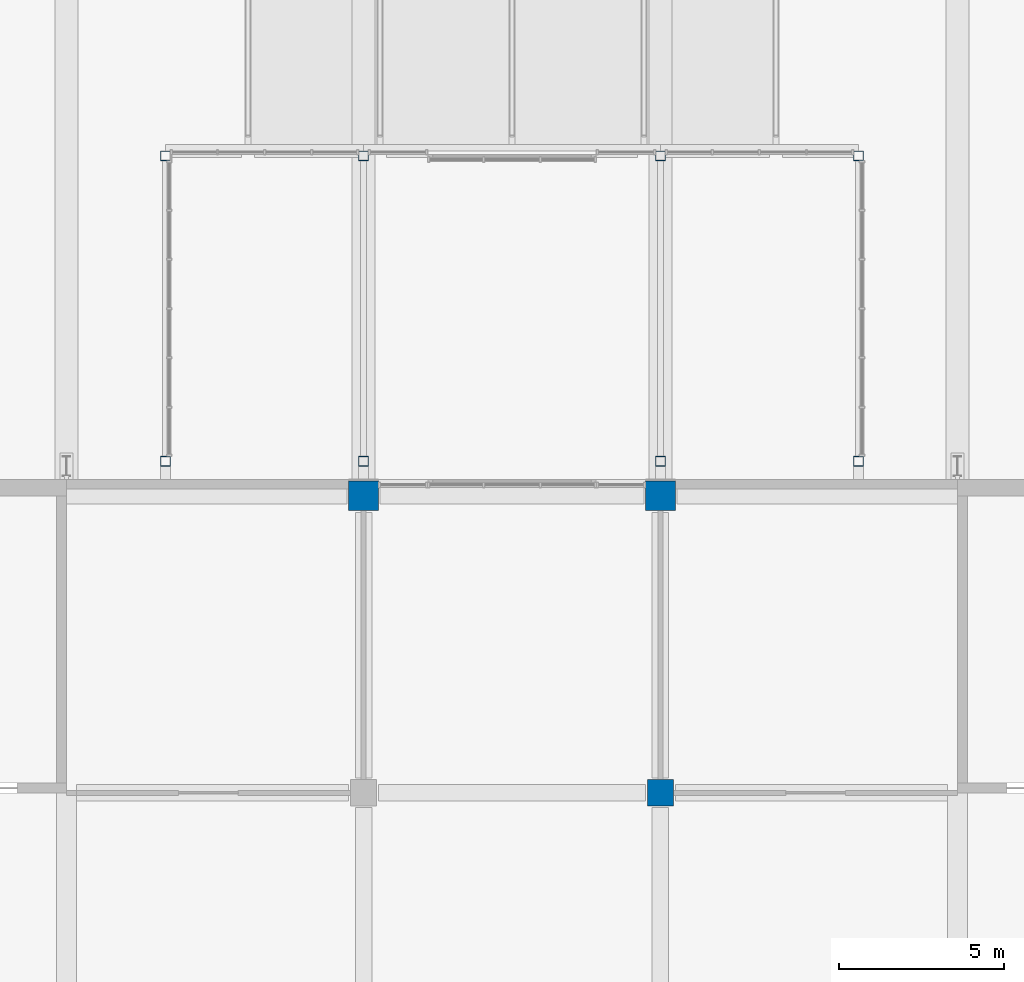
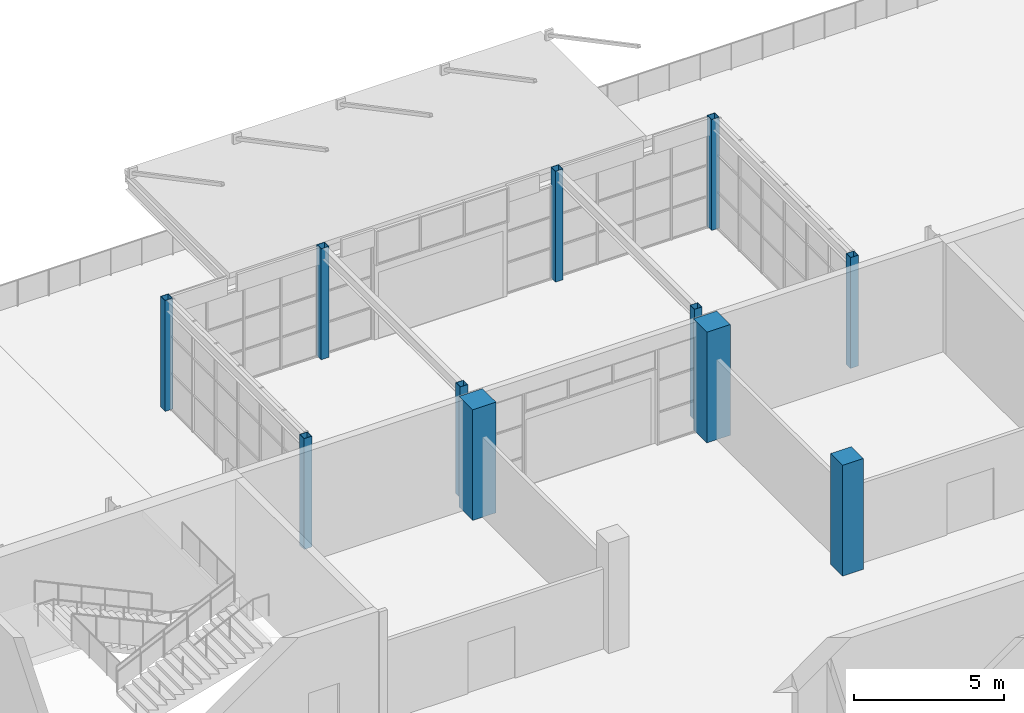
# One storey, part 11 of 168: 11 columns.
"""IFC4 building model written with IfcOpenShell, lengths in metres."""

import ifcopenshell
import ifcopenshell.guid

model = None  # the IFC model being written
_history = None  # IfcOwnerHistory: only IFC2X3 demands one
_inside = {}  # id of a spatial element -> (the spatial element, [elements in it])
_under = {}  # id of a project, library or spatial element -> (it, [spatial elements below it])
_declared = {}  # id of a project -> (the project, [libraries it declares])
_typed = {}  # id of a type object -> (the type object, [elements of that type])
_made_of = {}  # id of a material, layer set ... -> (it, [elements and type objects made of it])


def new_model(schema):
    """Start an empty IFC model of exactly this schema.

    Asked for "IFC4X3", IfcOpenShell would pick the latest addendum, in which some entities
    have other attributes; the version numbers below select the first issue.
    IFC2X3 requires an IfcOwnerHistory on every rooted entity: one is made here for all.
    """
    global model, _history
    if schema == "IFC4X3":
        model = ifcopenshell.file(schema_version=(4, 3, 0, 0))
    else:
        model = ifcopenshell.file(schema=schema)
    _inside.clear()
    _under.clear()
    _declared.clear()
    _typed.clear()
    _made_of.clear()
    _history = None
    if model.schema == "IFC2X3":
        org = make("IfcOrganization", Name="unknown")
        user = make(
            "IfcPersonAndOrganization",
            ThePerson=make("IfcPerson", FamilyName="unknown"),
            TheOrganization=org,
        )
        app = make(
            "IfcApplication",
            ApplicationDeveloper=org,
            Version="unknown",
            ApplicationFullName="unknown",
            ApplicationIdentifier="unknown",
        )
        _history = make(
            "IfcOwnerHistory",
            OwningUser=user,
            OwningApplication=app,
            ChangeAction="ADDED",
            CreationDate=0,
        )
    return model


def make(cls, **values):
    """One entity of the class cls with the attributes given. An attribute that is None is left unset."""
    return model.create_entity(
        cls, **{name: value for name, value in values.items() if value is not None}
    )


def rooted(cls, **values):
    """An entity with a GlobalId (a new one), such as an element, a storey or a relation."""
    return make(cls, GlobalId=ifcopenshell.guid.new(), OwnerHistory=_history, **values)


def si_unit(unit_type, name, prefix=None):
    """IfcSIUnit, for example si_unit("LENGTHUNIT", "METRE", prefix="MILLI")."""
    return make("IfcSIUnit", UnitType=unit_type, Prefix=prefix, Name=name)


def assignment(units):
    """IfcUnitAssignment: the units of a project."""
    return None if units is None else make("IfcUnitAssignment", Units=units)


def point(xyz):
    """IfcCartesianPoint."""
    return None if xyz is None else make("IfcCartesianPoint", Coordinates=xyz)


def direction(xyz):
    """IfcDirection."""
    return None if xyz is None else make("IfcDirection", DirectionRatios=xyz)


def frame(location, z_axis=None, x_axis=None):
    """IfcAxis2Placement3D, a coordinate frame: its origin and axes. An axis left out is left unset."""
    return make(
        "IfcAxis2Placement3D",
        Location=point(location),
        Axis=direction(z_axis),
        RefDirection=direction(x_axis),
    )


def frame_2d(location, x_axis=None):
    """IfcAxis2Placement2D, a coordinate frame in the plane: its origin and x axis."""
    return make(
        "IfcAxis2Placement2D", Location=point(location), RefDirection=direction(x_axis)
    )


def origin():
    """The frame at (0, 0, 0) with its axes left unset."""
    return frame((0.0, 0.0, 0.0))


def origin_2d():
    """The frame at (0, 0) in the plane with its x axis left unset."""
    return frame_2d((0.0, 0.0))


def place(relative_to, where):
    """IfcLocalPlacement: puts the frame where relative to a parent placement (None: the world)."""
    return make(
        "IfcLocalPlacement", PlacementRelTo=relative_to, RelativePlacement=where
    )


def context(
    kind, dimensions, precision=None, world=None, true_north=None, identifier=None
):
    """IfcGeometricRepresentationContext, for example the 3D "Model" context."""
    return make(
        "IfcGeometricRepresentationContext",
        ContextIdentifier=identifier,
        ContextType=kind,
        CoordinateSpaceDimension=dimensions,
        Precision=precision,
        WorldCoordinateSystem=world,
        TrueNorth=true_north,
    )


def subcontext(parent, identifier, kind, view, scale=None):
    """IfcGeometricRepresentationSubContext, for example "Body" below "Model"."""
    return make(
        "IfcGeometricRepresentationSubContext",
        ContextIdentifier=identifier,
        ContextType=kind,
        ParentContext=parent,
        TargetScale=scale,
        TargetView=view,
    )


def project(units=None, contexts=None):
    """IfcProject with its units and contexts."""
    return rooted(
        "IfcProject",
        Name="project",
        RepresentationContexts=contexts,
        UnitsInContext=assignment(units),
    )


def spatial(cls, under=None, at=None, **own):
    """A site, building, storey or space (cls), placed at a placement, below another one or the project."""
    s = rooted(cls, ObjectPlacement=at, **own)
    if under is not None:
        _under.setdefault(under.id(), (under, []))[1].append(s)
    return s


def profile(cls, at=None, kind="AREA", **sizes):
    """A parametric profile (cls). Its sizes go by their IFC names, for example OverallWidth=200.0."""
    return make(cls, ProfileType=kind, Position=at, **sizes)


def rectangle(**sizes):
    """IfcRectangleProfileDef."""
    return profile("IfcRectangleProfileDef", **sizes)


def hollow_rectangle(**sizes):
    """IfcRectangleHollowProfileDef."""
    return profile("IfcRectangleHollowProfileDef", **sizes)


def extrude(swept, where, along, depth):
    """IfcExtrudedAreaSolid: the profile swept, set in the frame where, extruded along a direction by depth."""
    return make(
        "IfcExtrudedAreaSolid",
        SweptArea=swept,
        Position=where,
        ExtrudedDirection=direction(along),
        Depth=depth,
    )


def shape(context_of_items, identifier, shape_type, items):
    """IfcShapeRepresentation: the items that make up one representation, for example the "Body"."""
    return make(
        "IfcShapeRepresentation",
        ContextOfItems=context_of_items,
        RepresentationIdentifier=identifier,
        RepresentationType=shape_type,
        Items=items,
    )


def material(Name=None, Category=None):
    """IfcMaterial."""
    return make("IfcMaterial", Name=Name, Category=Category)


def material_profile(
    of_material, cross_section, Name=None, Category=None, Priority=None
):
    """IfcMaterialProfile: a cross section and its material."""
    return make(
        "IfcMaterialProfile",
        Name=Name,
        Material=of_material,
        Profile=cross_section,
        Priority=Priority,
        Category=Category,
    )


def profile_set(profiles, Name=None, composite=None):
    """IfcMaterialProfileSet."""
    return make(
        "IfcMaterialProfileSet",
        Name=Name,
        MaterialProfiles=profiles,
        CompositeProfile=composite,
    )


def made_of(thing, what):
    """Note that an element or type object is made of a material, layer set ...; save() writes the relation."""
    if what is not None:
        _made_of.setdefault(what.id(), (what, []))[1].append(thing)
    return thing


def type_object(cls, material=None, **own):
    """A type object (cls), such as IfcWallType, which elements share."""
    return made_of(rooted(cls, **own), material)


def element(
    cls,
    number,
    at=None,
    inside=None,
    cuts=None,
    type_object=None,
    material=None,
    context=None,
    identifier="Body",
    shape_type=None,
    held_by="IfcProductDefinitionShape",
    body=None,
    shapes=None,
    **own,
):
    """One element of the class cls, such as IfcWall. Its Tag is "e" and its number.

    at: its placement. inside: the storey or other place that contains it. cuts: it is an
    opening in that element (IfcRelVoidsElement). A single representation is given by context,
    identifier, shape_type and body (its items); several are given by shapes. held_by: the class
    of the entity that holds the representations. save() writes the other relations.
    """
    e = rooted(cls, Tag="e%d" % number, ObjectPlacement=at, **own)
    if body is not None:
        shapes = [shape(context, identifier, shape_type, body)]
    if shapes is not None:
        e.Representation = make(held_by, Representations=shapes)
    if inside is not None:
        _inside.setdefault(inside.id(), (inside, []))[1].append(e)
    if cuts is not None:
        rooted(
            "IfcRelVoidsElement", RelatingBuildingElement=cuts, RelatedOpeningElement=e
        )
    if type_object is not None:
        _typed.setdefault(type_object.id(), (type_object, []))[1].append(e)
    return made_of(e, material)


def aggregate(whole, parts):
    """IfcRelAggregates: a whole, such as a stair, and the parts it consists of."""
    return rooted("IfcRelAggregates", RelatingObject=whole, RelatedObjects=parts)


def save(model, path):
    """Write the relations noted so far, then the file.

    IfcRelAggregates (storeys below a building ...), IfcRelContainedInSpatialStructure (elements
    in a storey), IfcRelDefinesByType, IfcRelAssociatesMaterial and IfcRelDeclares: one each for
    every whole, place, type object, material and project.
    """
    for whole, parts in _under.values():
        aggregate(whole, parts)
    for where, things in _inside.values():
        rooted(
            "IfcRelContainedInSpatialStructure",
            RelatedElements=things,
            RelatingStructure=where,
        )
    for kind, things in _typed.values():
        rooted("IfcRelDefinesByType", RelatedObjects=things, RelatingType=kind)
    for what, things in _made_of.values():
        rooted("IfcRelAssociatesMaterial", RelatedObjects=things, RelatingMaterial=what)
    for by, libraries in _declared.values():
        rooted("IfcRelDeclares", RelatingContext=by, RelatedDefinitions=libraries)
    model.write(path)


model = new_model("IFC4")

# Units and contexts
model_context = context("Model", 3, precision=1e-05, world=origin(), true_north=direction((0.0, 1.0)))
body_context = subcontext(model_context, "Body", "Model", "MODEL_VIEW")
ifc_project = project(units=[si_unit("LENGTHUNIT", "METRE"), si_unit("AREAUNIT", "SQUARE_METRE"), si_unit("VOLUMEUNIT", "CUBIC_METRE"), si_unit("PLANEANGLEUNIT", "RADIAN"), si_unit("MASSUNIT", "GRAM", prefix="KILO")], contexts=[model_context])

# Site, building, storey
site_placement = place(None, origin())
site = spatial("IfcSite", under=ifc_project, at=site_placement, CompositionType="ELEMENT")
building_placement = place(site_placement, origin())
building = spatial("IfcBuilding", under=site, at=building_placement, Name="Silverbay Arena", CompositionType="ELEMENT")
storey_placement = place(building_placement, frame((0.0, 0.0, 7.0)))
storey = spatial("IfcBuildingStorey", under=building, at=storey_placement, Name="L01", CompositionType="ELEMENT", Elevation=7.0)

# Columns
ifc_material_1 = material(Name="Steel S355", Category="steel")
ifc_material_profile_1 = material_profile(ifc_material_1, hollow_rectangle(XDim=0.300048828125, YDim=0.300048828125, WallThickness=0.012451171875, at=origin_2d()), Name="SHS 300x300x12.5")
ifc_profile_set_1 = profile_set([ifc_material_profile_1], Name="Steel S355")
column_type_1 = type_object("IfcColumnType", Name="Hall column SHS 300x300x12.5", PredefinedType="COLUMN", material=ifc_profile_set_1)
for number, where, z_axis, x_axis, name in (
    (1, (120.0, 154.300048828125, 0.0), (0.0, 0.0, 1.0), (1.0, 0.0, 0.0), "North entrance hall N1 column F1"),
    (2, (120.0, 145.050048828125, 0.0), (0.0, 0.0, 1.0), (1.0, 0.0, 0.0), "North entrance hall N1 column B1"),
    (3, (126.0, 154.300048828125, 0.0), (0.0, 0.0, 1.0), (1.0, 0.0, 0.0), "North entrance hall N1 column F2"),
    (4, (126.0, 145.050048828125, 0.0), (0.0, 0.0, 1.0), (1.0, 0.0, 0.0), "North entrance hall N1 column B2"),
    (5, (135.0, 154.300048828125, 0.0), (0.0, 0.0, 1.0), (1.0, 0.0, 0.0), "North entrance hall N1 column F3"),
    (6, (135.0, 145.050048828125, 0.0), (0.0, 0.0, 1.0), (1.0, 0.0, 0.0), "North entrance hall N1 column B3"),
    (7, (141.0, 154.300048828125, 0.0), (0.0, 0.0, 1.0), (1.0, 0.0, 0.0), "North entrance hall N1 column F4"),
    (8, (141.0, 145.050048828125, 0.0), (0.0, 0.0, 1.0), (1.0, 0.0, 0.0), "North entrance hall N1 column B4"),
):
    element("IfcColumn", number, at=place(storey_placement, frame(where, z_axis=z_axis, x_axis=x_axis)), inside=storey, type_object=column_type_1, Name=name, PredefinedType="COLUMN", context=body_context, shape_type="SweptSolid", body=[
        extrude(hollow_rectangle(XDim=0.300048828125, YDim=0.300048828125, WallThickness=0.012451171875, at=origin_2d()), origin(), (0.0, 0.0, 1.0), 4.5),
    ])
ifc_material_2 = material(Name="Concrete Grade C45", Category="concrete")
ifc_material_profile_2 = material_profile(ifc_material_2, rectangle(XDim=0.800048828125, YDim=0.800048828125, at=origin_2d()), Name="RC 800x800")
ifc_profile_set_2 = profile_set([ifc_material_profile_2], Name="Concrete Grade C45")
column_type_2 = type_object("IfcColumnType", Name="RC column 800x800", PredefinedType="COLUMN", material=ifc_profile_set_2)
column_placement = place(storey_placement, frame((135.0, 135.0, 0.0), z_axis=(0.0, 0.0, 1.0), x_axis=(1.0, 0.0, 0.0)))
element("IfcColumn", 9, at=column_placement, inside=storey, type_object=column_type_2, Name="Column 16/R L01", PredefinedType="COLUMN", context=body_context, shape_type="SweptSolid", body=[
    extrude(rectangle(XDim=0.800048828125, YDim=0.800048828125, at=origin_2d()), origin(), (0.0, 0.0, 1.0), 4.5),
])
ifc_material_3 = material(Name="Concrete Grade C45", Category="concrete")
ifc_material_profile_3 = material_profile(ifc_material_3, rectangle(XDim=0.89990234375, YDim=0.89990234375, at=origin_2d()), Name="RC 900x900")
ifc_profile_set_3 = profile_set([ifc_material_profile_3], Name="Concrete Grade C45")
column_type_3 = type_object("IfcColumnType", Name="RC column 900x900", PredefinedType="COLUMN", material=ifc_profile_set_3)
for number, where, z_axis, x_axis, name in (
    (10, (126.0, 144.0, 0.0), (0.0, 0.0, 1.0), (1.0, 0.0, 0.0), "Column 15/S L01"),
    (11, (135.0, 144.0, 0.0), (0.0, 0.0, 1.0), (1.0, 0.0, 0.0), "Column 16/S L01"),
):
    element("IfcColumn", number, at=place(storey_placement, frame(where, z_axis=z_axis, x_axis=x_axis)), inside=storey, type_object=column_type_3, Name=name, PredefinedType="COLUMN", context=body_context, shape_type="SweptSolid", body=[
        extrude(rectangle(XDim=0.89990234375, YDim=0.89990234375, at=origin_2d()), origin(), (0.0, 0.0, 1.0), 4.5),
    ])

save(model, "model.ifc")
